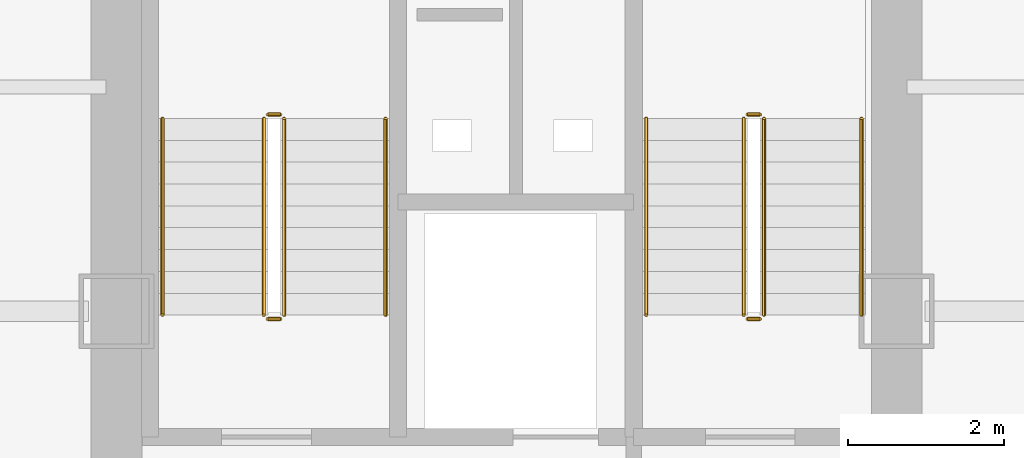
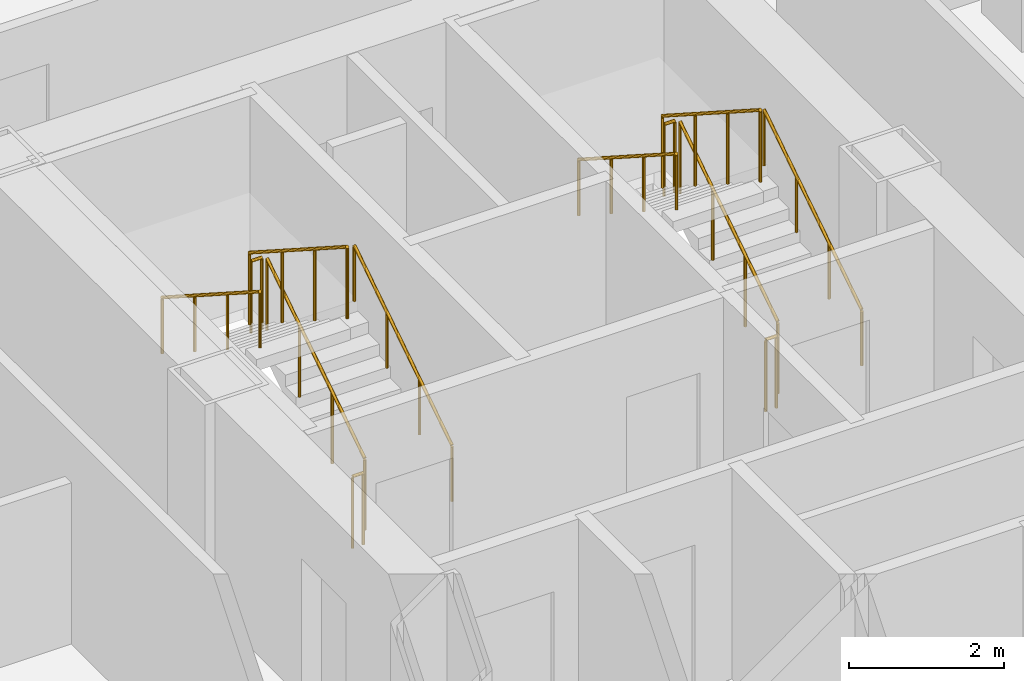
# One storey, part 21 of 22: 12 railings.
"""IFC4 building model written with IfcOpenShell, lengths in metres."""

from ifc_helpers import new_model, si_unit, direction, frame, origin, origin_2d, place, context, subcontext, project, spatial, circle, extrude, material, type_object, element, save


model = new_model("IFC4")

# Units and contexts
model_context = context("Model", 3, precision=1e-05, world=origin(), true_north=direction((0.0, 1.0)))
body_context = subcontext(model_context, "Body", "Model", "MODEL_VIEW")
ifc_project = project(units=[si_unit("LENGTHUNIT", "METRE"), si_unit("AREAUNIT", "SQUARE_METRE"), si_unit("VOLUMEUNIT", "CUBIC_METRE"), si_unit("PLANEANGLEUNIT", "RADIAN"), si_unit("MASSUNIT", "GRAM", prefix="KILO")], contexts=[model_context])

# Site, building, storey
site_placement = place(None, origin())
site = spatial("IfcSite", under=ifc_project, at=site_placement, CompositionType="ELEMENT")
building_placement = place(site_placement, origin())
building = spatial("IfcBuilding", under=site, at=building_placement, Name="Kolveth Station Tower", CompositionType="ELEMENT")
storey_placement = place(building_placement, frame((0.0, 0.0, 65.699951171875)))
storey = spatial("IfcBuildingStorey", under=building, at=storey_placement, Name="L17", CompositionType="ELEMENT", Elevation=65.699951171875)

# Railings
ifc_material_1 = material(Name="Painted Steel S355 balustrade", Category="steel")
railing_type_1 = type_object("IfcRailingType", Name="Guard_GR2", PredefinedType="BALUSTRADE", material=ifc_material_1)
railing_1_placement = place(storey_placement, frame((20.64990234375, 22.949951171875, 0.179931640625)))
element("IfcRailing", 1, at=railing_1_placement, inside=storey, type_object=railing_type_1, Name="L17 ST1 stair guard 1", PredefinedType="BALUSTRADE", context=body_context, shape_type="SweptSolid", body=[
    extrude(circle(Radius=0.02392578125, at=origin_2d()), frame((0.0, 0.0, 1.1259765625), z_axis=(0.0, 0.841162588446, 0.540782303519), x_axis=(-1.0, 0.0, 0.0)), (0.0, 0.0, 1.0), 2.995849609375),
    extrude(circle(Radius=0.02099609375, at=origin_2d()), origin(), (0.0, 0.0, 1.0), 1.101806640625),
    extrude(circle(Radius=0.02099609375, at=origin_2d()), frame((0.0, 0.840087890625, 0.5400390625)), (0.0, 0.0, 1.0), 1.101806640625),
    extrude(circle(Radius=0.02099609375, at=origin_2d()), frame((0.0, 1.679931640625, 1.080078125)), (0.0, 0.0, 1.0), 1.101806640625),
    extrude(circle(Radius=0.02099609375, at=origin_2d()), frame((0.0, 2.52001953125, 1.6201171875)), (0.0, 0.0, 1.0), 1.101806640625),
])
railing_2_placement = place(storey_placement, frame((20.60009765625, 25.52001953125, 1.800048828125)))
element("IfcRailing", 2, at=railing_2_placement, inside=storey, type_object=railing_type_1, Name="L17 ST1 stair guard 2", PredefinedType="BALUSTRADE", context=body_context, shape_type="SweptSolid", body=[
    extrude(circle(Radius=0.02392578125, at=origin_2d()), frame((0.0, 0.0, 1.1259765625), z_axis=(-1.0, 0.0, 0.0), x_axis=(0.0, -1.0, 0.0)), (0.0, 0.0, 1.0), 0.16015625),
    extrude(circle(Radius=0.02099609375, at=origin_2d()), origin(), (0.0, 0.0, 1.0), 1.101806640625),
    extrude(circle(Radius=0.02099609375, at=origin_2d()), frame((-0.16015625, 0.0, 0.0)), (0.0, 0.0, 1.0), 1.101806640625),
])
railing_3_placement = place(storey_placement, frame((20.389892578125, 25.469970703125, 1.97998046875)))
element("IfcRailing", 3, at=railing_3_placement, inside=storey, type_object=railing_type_1, Name="L17 ST1 stair guard 3", PredefinedType="BALUSTRADE", context=body_context, shape_type="SweptSolid", body=[
    extrude(circle(Radius=0.02392578125, at=origin_2d()), frame((0.0, 0.0, 1.1259765625), z_axis=(0.0, -0.841162588446, 0.540782303519), x_axis=(1.0, 0.0, 0.0)), (0.0, 0.0, 1.0), 2.995849609375),
    extrude(circle(Radius=0.02099609375, at=origin_2d()), origin(), (0.0, 0.0, 1.0), 1.101806640625),
    extrude(circle(Radius=0.02099609375, at=origin_2d()), frame((0.0, -0.840087890625, 0.5400390625)), (0.0, 0.0, 1.0), 1.101806640625),
    extrude(circle(Radius=0.02099609375, at=origin_2d()), frame((0.0, -1.679931640625, 1.080078125)), (0.0, 0.0, 1.0), 1.101806640625),
    extrude(circle(Radius=0.02099609375, at=origin_2d()), frame((0.0, -2.52001953125, 1.6201171875)), (0.0, 0.0, 1.0), 1.101806640625),
])
railing_4_placement = place(storey_placement, frame((20.60009765625, 22.89990234375, 0.0)))
element("IfcRailing", 4, at=railing_4_placement, inside=storey, type_object=railing_type_1, Name="L17 ST1 stair guard 4", PredefinedType="BALUSTRADE", context=body_context, shape_type="SweptSolid", body=[
    extrude(circle(Radius=0.02392578125, at=origin_2d()), frame((0.0, 0.0, 1.1259765625), z_axis=(-1.0, 0.0, 0.0), x_axis=(0.0, -1.0, 0.0)), (0.0, 0.0, 1.0), 0.16015625),
    extrude(circle(Radius=0.02099609375, at=origin_2d()), origin(), (0.0, 0.0, 1.0), 1.101806640625),
    extrude(circle(Radius=0.02099609375, at=origin_2d()), frame((-0.16015625, 0.0, 0.0)), (0.0, 0.0, 1.0), 1.101806640625),
])
railing_5_placement = place(storey_placement, frame((26.800048828125, 22.949951171875, 0.179931640625)))
element("IfcRailing", 5, at=railing_5_placement, inside=storey, type_object=railing_type_1, Name="L17 ST2 stair guard 1", PredefinedType="BALUSTRADE", context=body_context, shape_type="SweptSolid", body=[
    extrude(circle(Radius=0.02392578125, at=origin_2d()), frame((0.0, 0.0, 1.1259765625), z_axis=(0.0, 0.841162588446, 0.540782303519), x_axis=(-1.0, 0.0, 0.0)), (0.0, 0.0, 1.0), 2.995849609375),
    extrude(circle(Radius=0.02099609375, at=origin_2d()), origin(), (0.0, 0.0, 1.0), 1.101806640625),
    extrude(circle(Radius=0.02099609375, at=origin_2d()), frame((0.0, 0.840087890625, 0.5400390625)), (0.0, 0.0, 1.0), 1.101806640625),
    extrude(circle(Radius=0.02099609375, at=origin_2d()), frame((0.0, 1.679931640625, 1.080078125)), (0.0, 0.0, 1.0), 1.101806640625),
    extrude(circle(Radius=0.02099609375, at=origin_2d()), frame((0.0, 2.52001953125, 1.6201171875)), (0.0, 0.0, 1.0), 1.101806640625),
])
railing_6_placement = place(storey_placement, frame((26.75, 25.52001953125, 1.800048828125)))
element("IfcRailing", 6, at=railing_6_placement, inside=storey, type_object=railing_type_1, Name="L17 ST2 stair guard 2", PredefinedType="BALUSTRADE", context=body_context, shape_type="SweptSolid", body=[
    extrude(circle(Radius=0.02392578125, at=origin_2d()), frame((0.0, 0.0, 1.1259765625), z_axis=(-1.0, 0.0, 0.0), x_axis=(0.0, -1.0, 0.0)), (0.0, 0.0, 1.0), 0.159912109375),
    extrude(circle(Radius=0.02099609375, at=origin_2d()), origin(), (0.0, 0.0, 1.0), 1.101806640625),
    extrude(circle(Radius=0.02099609375, at=origin_2d()), frame((-0.159912109375, 0.0, 0.0)), (0.0, 0.0, 1.0), 1.101806640625),
])
railing_7_placement = place(storey_placement, frame((26.5400390625, 25.469970703125, 1.97998046875)))
element("IfcRailing", 7, at=railing_7_placement, inside=storey, type_object=railing_type_1, Name="L17 ST2 stair guard 3", PredefinedType="BALUSTRADE", context=body_context, shape_type="SweptSolid", body=[
    extrude(circle(Radius=0.02392578125, at=origin_2d()), frame((0.0, 0.0, 1.1259765625), z_axis=(0.0, -0.841162588446, 0.540782303519), x_axis=(1.0, 0.0, 0.0)), (0.0, 0.0, 1.0), 2.995849609375),
    extrude(circle(Radius=0.02099609375, at=origin_2d()), origin(), (0.0, 0.0, 1.0), 1.101806640625),
    extrude(circle(Radius=0.02099609375, at=origin_2d()), frame((0.0, -0.840087890625, 0.5400390625)), (0.0, 0.0, 1.0), 1.101806640625),
    extrude(circle(Radius=0.02099609375, at=origin_2d()), frame((0.0, -1.679931640625, 1.080078125)), (0.0, 0.0, 1.0), 1.101806640625),
    extrude(circle(Radius=0.02099609375, at=origin_2d()), frame((0.0, -2.52001953125, 1.6201171875)), (0.0, 0.0, 1.0), 1.101806640625),
])
railing_8_placement = place(storey_placement, frame((26.75, 22.89990234375, 0.0)))
element("IfcRailing", 8, at=railing_8_placement, inside=storey, type_object=railing_type_1, Name="L17 ST2 stair guard 4", PredefinedType="BALUSTRADE", context=body_context, shape_type="SweptSolid", body=[
    extrude(circle(Radius=0.02392578125, at=origin_2d()), frame((0.0, 0.0, 1.1259765625), z_axis=(-1.0, 0.0, 0.0), x_axis=(0.0, -1.0, 0.0)), (0.0, 0.0, 1.0), 0.159912109375),
    extrude(circle(Radius=0.02099609375, at=origin_2d()), origin(), (0.0, 0.0, 1.0), 1.101806640625),
    extrude(circle(Radius=0.02099609375, at=origin_2d()), frame((-0.159912109375, 0.0, 0.0)), (0.0, 0.0, 1.0), 1.101806640625),
])
ifc_material_2 = material(Name="Brushed stainless steel", Category="steel")
railing_type_2 = type_object("IfcRailingType", Name="Handrail_HR1", PredefinedType="HANDRAIL", material=ifc_material_2)
railing_9_placement = place(storey_placement, frame((21.949951171875, 22.949951171875, 0.179931640625)))
element("IfcRailing", 9, at=railing_9_placement, inside=storey, type_object=railing_type_2, Name="L17 ST1 stair handrail 1", PredefinedType="HANDRAIL", context=body_context, shape_type="SweptSolid", body=[
    extrude(circle(Radius=0.02392578125, at=origin_2d()), frame((0.0, 0.0, 0.8759765625), z_axis=(0.0, 0.841162588446, 0.540782303519), x_axis=(-1.0, 0.0, 0.0)), (0.0, 0.0, 1.0), 2.995849609375),
    extrude(circle(Radius=0.02099609375, at=origin_2d()), origin(), (0.0, 0.0, 1.0), 0.851806640625),
    extrude(circle(Radius=0.02099609375, at=origin_2d()), frame((0.0, 0.840087890625, 0.5400390625)), (0.0, 0.0, 1.0), 0.851806640625),
    extrude(circle(Radius=0.02099609375, at=origin_2d()), frame((0.0, 1.679931640625, 1.080078125)), (0.0, 0.0, 1.0), 0.851806640625),
    extrude(circle(Radius=0.02099609375, at=origin_2d()), frame((0.0, 2.52001953125, 1.6201171875)), (0.0, 0.0, 1.0), 0.851806640625),
])
railing_10_placement = place(storey_placement, frame((19.090087890625, 25.469970703125, 1.97998046875)))
element("IfcRailing", 10, at=railing_10_placement, inside=storey, type_object=railing_type_2, Name="L17 ST1 stair handrail 2", PredefinedType="HANDRAIL", context=body_context, shape_type="SweptSolid", body=[
    extrude(circle(Radius=0.02392578125, at=origin_2d()), frame((0.0, 0.0, 0.8759765625), z_axis=(0.0, -0.841162588446, 0.540782303519), x_axis=(1.0, 0.0, 0.0)), (0.0, 0.0, 1.0), 2.995849609375),
    extrude(circle(Radius=0.02099609375, at=origin_2d()), origin(), (0.0, 0.0, 1.0), 0.851806640625),
    extrude(circle(Radius=0.02099609375, at=origin_2d()), frame((0.0, -0.840087890625, 0.5400390625)), (0.0, 0.0, 1.0), 0.851806640625),
    extrude(circle(Radius=0.02099609375, at=origin_2d()), frame((0.0, -1.679931640625, 1.080078125)), (0.0, 0.0, 1.0), 0.851806640625),
    extrude(circle(Radius=0.02099609375, at=origin_2d()), frame((0.0, -2.52001953125, 1.6201171875)), (0.0, 0.0, 1.0), 0.851806640625),
])
railing_11_placement = place(storey_placement, frame((28.050048828125, 22.949951171875, 0.179931640625)))
element("IfcRailing", 11, at=railing_11_placement, inside=storey, type_object=railing_type_2, Name="L17 ST2 stair handrail 1", PredefinedType="HANDRAIL", context=body_context, shape_type="SweptSolid", body=[
    extrude(circle(Radius=0.02392578125, at=origin_2d()), frame((0.0, 0.0, 0.8759765625), z_axis=(0.0, 0.841162588446, 0.540782303519), x_axis=(-1.0, 0.0, 0.0)), (0.0, 0.0, 1.0), 2.995849609375),
    extrude(circle(Radius=0.02099609375, at=origin_2d()), origin(), (0.0, 0.0, 1.0), 0.851806640625),
    extrude(circle(Radius=0.02099609375, at=origin_2d()), frame((0.0, 0.840087890625, 0.5400390625)), (0.0, 0.0, 1.0), 0.851806640625),
    extrude(circle(Radius=0.02099609375, at=origin_2d()), frame((0.0, 1.679931640625, 1.080078125)), (0.0, 0.0, 1.0), 0.851806640625),
    extrude(circle(Radius=0.02099609375, at=origin_2d()), frame((0.0, 2.52001953125, 1.6201171875)), (0.0, 0.0, 1.0), 0.851806640625),
])
railing_12_placement = place(storey_placement, frame((25.2900390625, 25.469970703125, 1.97998046875)))
element("IfcRailing", 12, at=railing_12_placement, inside=storey, type_object=railing_type_2, Name="L17 ST2 stair handrail 2", PredefinedType="HANDRAIL", context=body_context, shape_type="SweptSolid", body=[
    extrude(circle(Radius=0.02392578125, at=origin_2d()), frame((0.0, 0.0, 0.8759765625), z_axis=(0.0, -0.841162588446, 0.540782303519), x_axis=(1.0, 0.0, 0.0)), (0.0, 0.0, 1.0), 2.995849609375),
    extrude(circle(Radius=0.02099609375, at=origin_2d()), origin(), (0.0, 0.0, 1.0), 0.851806640625),
    extrude(circle(Radius=0.02099609375, at=origin_2d()), frame((0.0, -0.840087890625, 0.5400390625)), (0.0, 0.0, 1.0), 0.851806640625),
    extrude(circle(Radius=0.02099609375, at=origin_2d()), frame((0.0, -1.679931640625, 1.080078125)), (0.0, 0.0, 1.0), 0.851806640625),
    extrude(circle(Radius=0.02099609375, at=origin_2d()), frame((0.0, -2.52001953125, 1.6201171875)), (0.0, 0.0, 1.0), 0.851806640625),
])

save(model, "model.ifc")
